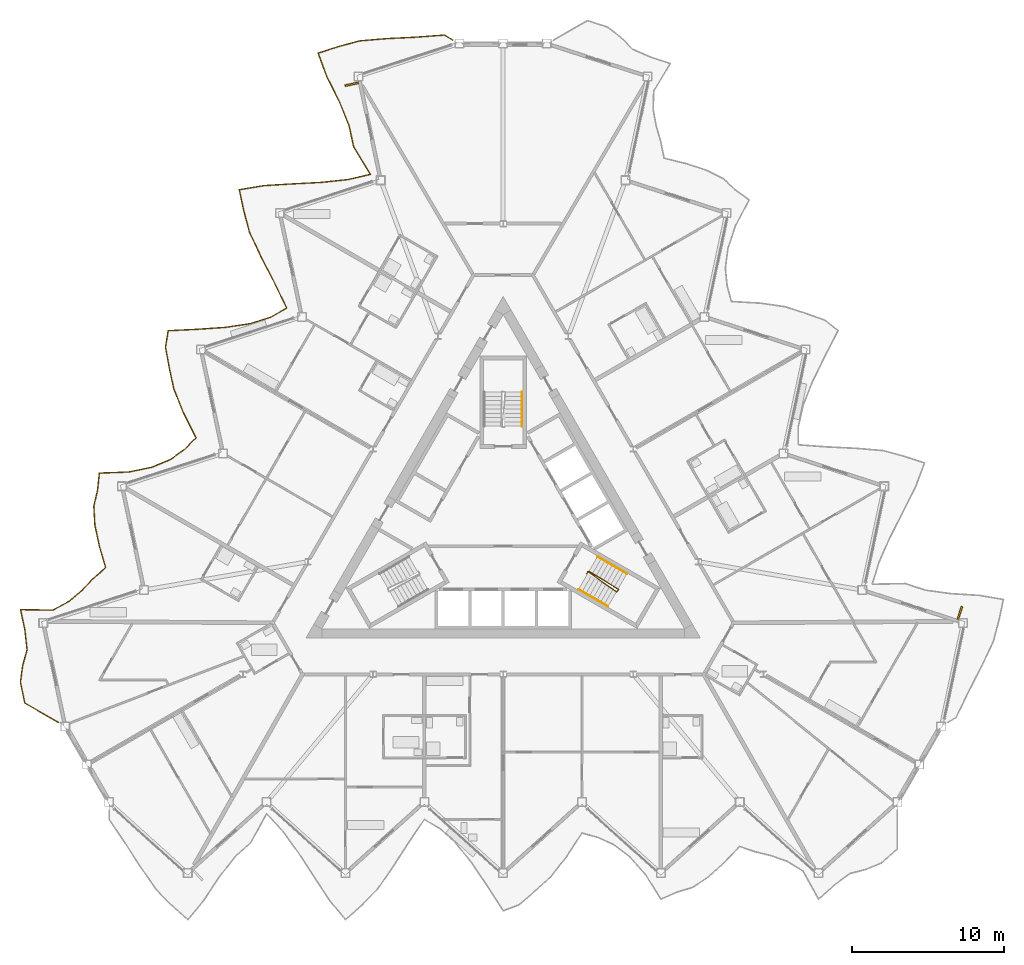
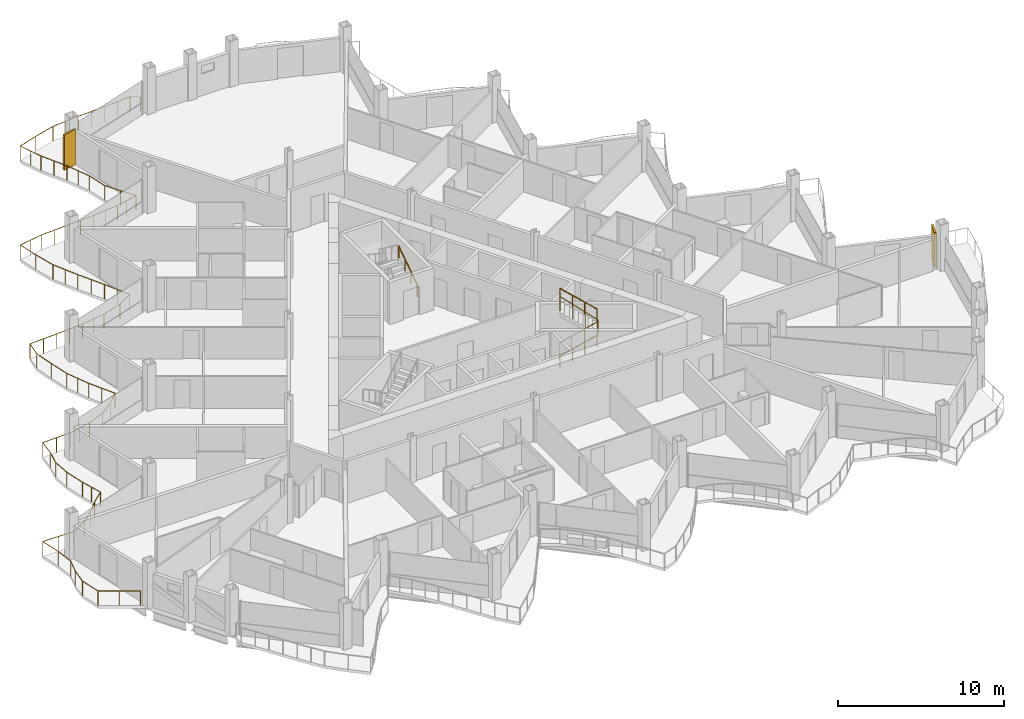
# One storey, part 23 of 26: 5 railings, 2 shading devices.
"""IFC4 building model written with IfcOpenShell, lengths in metres."""

from ifc_helpers import new_model, si_unit, direction, frame, origin, origin_2d, place, context, subcontext, project, spatial, rectangle, circle, extrude, material, layer, layer_set, type_object, element, save


model = new_model("IFC4")

# Units and contexts
model_context = context("Model", 3, precision=1e-05, world=origin(), true_north=direction((0.0, 1.0)))
body_context = subcontext(model_context, "Body", "Model", "MODEL_VIEW")
ifc_project = project(units=[si_unit("LENGTHUNIT", "METRE"), si_unit("AREAUNIT", "SQUARE_METRE"), si_unit("VOLUMEUNIT", "CUBIC_METRE"), si_unit("PLANEANGLEUNIT", "RADIAN"), si_unit("MASSUNIT", "GRAM", prefix="KILO")], contexts=[model_context])

# Site, building, storey
site_placement = place(None, origin())
site = spatial("IfcSite", under=ifc_project, at=site_placement, CompositionType="ELEMENT")
building_placement = place(site_placement, origin())
building = spatial("IfcBuilding", under=site, at=building_placement, Name="Cormorant Prow Tower", CompositionType="ELEMENT")
storey_placement = place(building_placement, frame((0.0, 0.0, 342.60009765625)))
storey = spatial("IfcBuildingStorey", under=building, at=storey_placement, Name="L77", CompositionType="ELEMENT", Elevation=342.60009765625)

# Railings
ifc_material_1 = material(Name="Aluminium 6063-T6", Category="aluminium")
railing_type_1 = type_object("IfcRailingType", Name="Balcony guard 1100", PredefinedType="GUARDRAIL", material=ifc_material_1)
railing_1_placement = place(storey_placement, frame((-3.326904296875, 31.9287109375, 0.0)))
element("IfcRailing", 1, at=railing_1_placement, inside=storey, type_object=railing_type_1, Name="Balcony guard WNW", PredefinedType="GUARDRAIL", context=body_context, shape_type="SweptSolid", body=[
    extrude(circle(Radius=0.02392578125, at=origin_2d()), frame((0.0, 0.0, 1.076171875), z_axis=(-0.865942655036, 0.500143297656, 0.0), x_axis=(-0.500143297656, -0.865942655036, 0.0)), (0.0, 0.0, 1.0), 0.635986328125),
    extrude(circle(Radius=0.02392578125, at=origin_2d()), frame((-0.55078125, 0.318115234375, 1.076171875), z_axis=(-0.997268835853, -0.07385708522, 0.0), x_axis=(0.07385708522, -0.997268835853, 0.0)), (0.0, 0.0, 1.0), 1.847900390625),
    extrude(circle(Radius=0.02392578125, at=origin_2d()), frame((-2.3935546875, 0.181640625, 1.076171875), z_axis=(-0.998812502105, -0.048719458521, 0.0), x_axis=(0.048719458521, -0.998812502105, 0.0)), (0.0, 0.0, 1.0), 1.919189453125),
    extrude(circle(Radius=0.02392578125, at=origin_2d()), frame((-4.310546875, 0.088134765625, 1.076171875), z_axis=(-0.996610037067, -0.082270492993, 0.0), x_axis=(0.082270492993, -0.996610037067, 0.0)), (0.0, 0.0, 1.0), 1.824951171875),
    extrude(circle(Radius=0.02392578125, at=origin_2d()), frame((-6.12939453125, -0.06201171875, 1.076171875), z_axis=(-0.965538644572, -0.260259727653, 0.0), x_axis=(0.260259727653, -0.965538644572, 0.0)), (0.0, 0.0, 1.0), 1.468017578125),
    extrude(circle(Radius=0.02392578125, at=origin_2d()), frame((-7.546875, -0.444091796875, 1.076171875), z_axis=(-0.951081516476, -0.308940041138, 0.0), x_axis=(0.308940041138, -0.951081516476, 0.0)), (0.0, 0.0, 1.0), 1.398681640625),
    extrude(circle(Radius=0.02392578125, at=origin_2d()), frame((-8.877197265625, -0.876220703125, 1.076171875), z_axis=(0.345517305781, -0.938412378119, 0.0), x_axis=(0.938412378119, 0.345517305781, 0.0)), (0.0, 0.0, 1.0), 1.62451171875),
    extrude(circle(Radius=0.02392578125, at=origin_2d()), frame((-8.31591796875, -2.400634765625, 1.076171875), z_axis=(0.44638412653, -0.89484144494, 0.0), x_axis=(0.89484144494, 0.44638412653, 0.0)), (0.0, 0.0, 1.0), 1.88427734375),
    extrude(circle(Radius=0.02392578125, at=origin_2d()), frame((-7.474853515625, -4.086669921875, 1.076171875), z_axis=(0.377196199988, -0.92613337415, 0.0), x_axis=(0.92613337415, 0.377196199988, 0.0)), (0.0, 0.0, 1.0), 1.694580078125),
    extrude(circle(Radius=0.02392578125, at=origin_2d()), frame((-6.835693359375, -5.656005859375, 1.076171875), z_axis=(0.207883806398, -0.978153527335, 0.0), x_axis=(0.978153527335, 0.207883806398, 0.0)), (0.0, 0.0, 1.0), 1.398681640625),
    extrude(circle(Radius=0.02392578125, at=origin_2d()), frame((-6.544921875, -7.024169921875, 1.076171875), z_axis=(0.517077573269, -0.855938539395, 0.0), x_axis=(0.855938539395, 0.517077573269, 0.0)), (0.0, 0.0, 1.0), 2.153564453125),
    extrude(circle(Radius=0.02392578125, at=origin_2d()), frame((-5.431396484375, -8.867431640625, 1.076171875), z_axis=(-0.974579651079, -0.224041299099, 0.0), x_axis=(0.224041299099, -0.974579651079, 0.0)), (0.0, 0.0, 1.0), 1.525634765625),
    extrude(circle(Radius=0.02392578125, at=origin_2d()), frame((-6.918212890625, -9.209228515625, 1.076171875), z_axis=(-0.994541693172, -0.104339927843, 0.0), x_axis=(0.104339927843, -0.994541693172, 0.0)), (0.0, 0.0, 1.0), 1.76904296875),
    extrude(circle(Radius=0.02392578125, at=origin_2d()), frame((-8.677490234375, -9.393798828125, 1.076171875), z_axis=(-0.998623125906, -0.052458101425, 0.0), x_axis=(0.052458101425, -0.998623125906, 0.0)), (0.0, 0.0, 1.0), 1.908203125),
    extrude(circle(Radius=0.02392578125, at=origin_2d()), frame((-10.5830078125, -9.493896484375, 1.076171875), z_axis=(-0.99818669029, -0.060194113732, 0.0), x_axis=(0.060194113732, -0.99818669029, 0.0)), (0.0, 0.0, 1.0), 1.885986328125),
    extrude(circle(Radius=0.02392578125, at=origin_2d()), frame((-12.465576171875, -9.607421875, 1.076171875), z_axis=(-0.9860889791, -0.166218306142, 0.0), x_axis=(0.166218306142, -0.9860889791, 0.0)), (0.0, 0.0, 1.0), 1.6318359375),
    extrude(circle(Radius=0.02392578125, at=origin_2d()), frame((-14.07470703125, -9.878662109375, 1.076171875), z_axis=(0.207883806398, -0.978153527335, 0.0), x_axis=(0.978153527335, 0.207883806398, 0.0)), (0.0, 0.0, 1.0), 1.398681640625),
    extrude(circle(Radius=0.02392578125, at=origin_2d()), frame((-13.783935546875, -11.246826171875, 1.076171875), z_axis=(0.253868850265, -0.967238650419, 0.0), x_axis=(0.967238650419, 0.253868850265, 0.0)), (0.0, 0.0, 1.0), 1.462646484375),
    extrude(circle(Radius=0.02392578125, at=origin_2d()), frame((-13.41259765625, -12.66162109375, 1.076171875), z_axis=(0.426080932678, -0.904685049511, 0.0), x_axis=(0.904685049511, 0.426080932678, 0.0)), (0.0, 0.0, 1.0), 1.822021484375),
    extrude(circle(Radius=0.02392578125, at=origin_2d()), frame((-12.63623046875, -14.31005859375, 1.076171875), z_axis=(0.457109403183, -0.889410475271, 0.0), x_axis=(0.889410475271, 0.457109403183, 0.0)), (0.0, 0.0, 1.0), 1.9189453125),
    extrude(circle(Radius=0.02392578125, at=origin_2d()), frame((-11.759033203125, -16.016845703125, 1.076171875), z_axis=(0.435512648253, -0.900182611036, 0.0), x_axis=(0.900182611036, 0.435512648253, 0.0)), (0.0, 0.0, 1.0), 1.8505859375),
    extrude(circle(Radius=0.02392578125, at=origin_2d()), frame((-10.953125, -17.6826171875, 1.076171875), z_axis=(-0.865676959893, -0.500603037456, 0.0), x_axis=(0.500603037456, -0.865676959893, 0.0)), (0.0, 0.0, 1.0), 1.19970703125),
    extrude(circle(Radius=0.02392578125, at=origin_2d()), frame((-11.99169921875, -18.283203125, 1.076171875), z_axis=(-0.95421811232, -0.299111674998, 0.0), x_axis=(0.299111674998, -0.95421811232, 0.0)), (0.0, 0.0, 1.0), 1.412109375),
    extrude(circle(Radius=0.02392578125, at=origin_2d()), frame((-13.339111328125, -18.70556640625, 1.076171875), z_axis=(-0.988992051677, -0.147968651138, 0.0), x_axis=(0.147968651138, -0.988992051677, 0.0)), (0.0, 0.0, 1.0), 1.669677734375),
    extrude(circle(Radius=0.02392578125, at=origin_2d()), frame((-14.990478515625, -18.95263671875, 1.076171875), z_axis=(-0.997715688101, -0.067552984524, 0.0), x_axis=(0.067552984524, -0.997715688101, 0.0)), (0.0, 0.0, 1.0), 1.86474609375),
    extrude(circle(Radius=0.02392578125, at=origin_2d()), frame((-16.85107421875, -19.07861328125, 1.076171875), z_axis=(-0.998765328526, -0.049677142982, 0.0), x_axis=(0.049677142982, -0.998765328526, 0.0)), (0.0, 0.0, 1.0), 1.916748046875),
    extrude(circle(Radius=0.02392578125, at=origin_2d()), frame((-18.765380859375, -19.173828125, 1.076171875), z_axis=(-0.157032403041, -0.987593450968, 0.0), x_axis=(0.987593450968, -0.157032403041, 0.0)), (0.0, 0.0, 1.0), 1.11328125),
    extrude(circle(Radius=0.02392578125, at=origin_2d()), frame((-18.940185546875, -20.273193359375, 1.076171875), z_axis=(0.182498486945, -0.983206134167, 0.0), x_axis=(0.983206134167, 0.182498486945, 0.0)), (0.0, 0.0, 1.0), 1.3671875),
    extrude(circle(Radius=0.02392578125, at=origin_2d()), frame((-18.690673828125, -21.617431640625, 1.076171875), z_axis=(0.207883806398, -0.978153527335, 0.0), x_axis=(0.978153527335, 0.207883806398, 0.0)), (0.0, 0.0, 1.0), 1.398681640625),
    extrude(circle(Radius=0.02392578125, at=origin_2d()), frame((-18.39990234375, -22.985595703125, 1.076171875), z_axis=(0.370412572747, -0.928867334957, 0.0), x_axis=(0.928867334957, 0.370412572747, 0.0)), (0.0, 0.0, 1.0), 1.6787109375),
    extrude(circle(Radius=0.02392578125, at=origin_2d()), frame((-17.778076171875, -24.544921875, 1.076171875), z_axis=(0.450197830655, -0.892928839983, 0.0), x_axis=(0.892928839983, 0.450197830655, 0.0)), (0.0, 0.0, 1.0), 1.896484375),
    extrude(circle(Radius=0.02392578125, at=origin_2d()), frame((-16.92431640625, -26.23828125, 1.076171875), z_axis=(-0.708579089702, -0.705631400688, 0.0), x_axis=(0.705631400688, -0.708579089702, 0.0)), (0.0, 0.0, 1.0), 1.07666015625),
    extrude(circle(Radius=0.02392578125, at=origin_2d()), frame((-17.687255859375, -26.998046875, 1.076171875), z_axis=(-0.811615569406, -0.584191892702, 0.0), x_axis=(0.584191892702, -0.811615569406, 0.0)), (0.0, 0.0, 1.0), 1.14013671875),
    extrude(circle(Radius=0.02392578125, at=origin_2d()), frame((-18.612548828125, -27.6640625, 1.076171875), z_axis=(-0.922877983616, -0.38509249195, 0.0), x_axis=(0.38509249195, -0.922877983616, 0.0)), (0.0, 0.0, 1.0), 1.307861328125),
    extrude(circle(Radius=0.02392578125, at=origin_2d()), frame((-19.819580078125, -28.167724609375, 1.076171875), z_axis=(-0.978699177219, -0.205299587215, 0.0), x_axis=(0.205299587215, -0.978699177219, 0.0)), (0.0, 0.0, 1.0), 1.557861328125),
    extrude(circle(Radius=0.02392578125, at=origin_2d()), frame((-21.34423828125, -28.487548828125, 1.076171875), z_axis=(-0.999345904658, -0.036163003787, 0.0), x_axis=(0.036163003787, -0.999345904658, 0.0)), (0.0, 0.0, 1.0), 1.957763671875),
    extrude(circle(Radius=0.02392578125, at=origin_2d()), frame((-23.30078125, -28.558349609375, 1.076171875), z_axis=(-0.105600912396, -0.994408591727, 0.0), x_axis=(0.994408591727, -0.105600912396, 0.0)), (0.0, 0.0, 1.0), 1.137451171875),
    extrude(circle(Radius=0.02392578125, at=origin_2d()), frame((-23.4208984375, -29.689453125, 1.076171875), z_axis=(-0.227009348035, -0.973892579243, 0.0), x_axis=(0.973892579243, -0.227009348035, 0.0)), (0.0, 0.0, 1.0), 1.086181640625),
    extrude(circle(Radius=0.02392578125, at=origin_2d()), frame((-23.66748046875, -30.747314453125, 1.076171875), z_axis=(0.056383988236, -0.998409157545, 0.0), x_axis=(0.998409157545, 0.056383988236, 0.0)), (0.0, 0.0, 1.0), 1.24267578125),
    extrude(circle(Radius=0.02392578125, at=origin_2d()), frame((-23.597412109375, -31.988037109375, 1.076171875), z_axis=(0.207883806398, -0.978153527335, 0.0), x_axis=(0.978153527335, 0.207883806398, 0.0)), (0.0, 0.0, 1.0), 1.398681640625),
    extrude(circle(Radius=0.02392578125, at=origin_2d()), frame((-23.306640625, -33.356201171875, 1.076171875), z_axis=(0.27969436855, -0.960089089721, 0.0), x_axis=(0.960089089721, 0.27969436855, 0.0)), (0.0, 0.0, 1.0), 1.503173828125),
    extrude(circle(Radius=0.02392578125, at=origin_2d()), frame((-22.88623046875, -34.79931640625, 1.076171875), z_axis=(-0.750726758639, -0.660612847184, 0.0), x_axis=(0.660612847184, -0.750726758639, 0.0)), (0.0, 0.0, 1.0), 1.09716796875),
    extrude(circle(Radius=0.02392578125, at=origin_2d()), frame((-23.7099609375, -35.524169921875, 1.076171875), z_axis=(-0.693878197943, -0.720092387419, 0.0), x_axis=(0.720092387419, -0.693878197943, 0.0)), (0.0, 0.0, 1.0), 1.071044921875),
    extrude(circle(Radius=0.02392578125, at=origin_2d()), frame((-24.453125, -36.29541015625, 1.076171875), z_axis=(-0.758599182566, -0.651557580118, 0.0), x_axis=(0.651557580118, -0.758599182566, 0.0)), (0.0, 0.0, 1.0), 1.1015625),
    extrude(circle(Radius=0.02392578125, at=origin_2d()), frame((-25.288818359375, -37.01318359375, 1.076171875), z_axis=(-0.879602455008, -0.475709492383, 0.0), x_axis=(0.475709492383, -0.879602455008, 0.0)), (0.0, 0.0, 1.0), 1.220458984375),
    extrude(circle(Radius=0.02392578125, at=origin_2d()), frame((-26.3623046875, -37.59375, 1.076171875), z_axis=(-0.999880973637, 0.015428498279, 0.0), x_axis=(-0.015428498279, -0.999880973637, 0.0)), (0.0, 0.0, 1.0), 2.13623046875),
    extrude(circle(Radius=0.02392578125, at=origin_2d()), frame((-28.498291015625, -37.560791015625, 1.076171875), z_axis=(0.207883806398, -0.978153527335, 0.0), x_axis=(0.978153527335, 0.207883806398, 0.0)), (0.0, 0.0, 1.0), 1.398681640625),
    extrude(circle(Radius=0.02392578125, at=origin_2d()), frame((-28.20751953125, -38.928955078125, 1.076171875), z_axis=(0.108726591286, -0.994071691754, 0.0), x_axis=(0.994071691754, 0.108726591286, 0.0)), (0.0, 0.0, 1.0), 1.288818359375),
    extrude(circle(Radius=0.02392578125, at=origin_2d()), frame((-28.0673828125, -40.210205078125, 1.076171875), z_axis=(-0.267925383794, -0.963439665324, 0.0), x_axis=(0.963439665324, -0.267925383794, 0.0)), (0.0, 0.0, 1.0), 1.073486328125),
    extrude(circle(Radius=0.02392578125, at=origin_2d()), frame((-28.35498046875, -41.244384765625, 1.076171875), z_axis=(-0.132690027156, -0.991157584188, 0.0), x_axis=(0.991157584188, -0.132690027156, 0.0)), (0.0, 0.0, 1.0), 1.124267578125),
    extrude(circle(Radius=0.02392578125, at=origin_2d()), frame((-28.504150390625, -42.358642578125, 1.076171875), z_axis=(0.207883806398, -0.978153527335, 0.0), x_axis=(0.978153527335, 0.207883806398, 0.0)), (0.0, 0.0, 1.0), 1.398681640625),
    extrude(circle(Radius=0.02392578125, at=origin_2d()), frame((-28.21337890625, -43.726806640625, 1.076171875), z_axis=(0.866013163002, -0.500021201058, 0.0), x_axis=(0.500021201058, 0.866013163002, 0.0)), (0.0, 0.0, 1.0), 2.5703125),
    extrude(circle(Radius=0.02099609375, at=origin_2d()), origin(), (0.0, 0.0, 1.0), 1.052001953125),
    extrude(circle(Radius=0.02099609375, at=origin_2d()), frame((-0.55078125, 0.318115234375, 0.0)), (0.0, 0.0, 1.0), 1.052001953125),
    extrude(circle(Radius=0.02099609375, at=origin_2d()), frame((-1.47216796875, 0.25, 0.0)), (0.0, 0.0, 1.0), 1.052001953125),
    extrude(circle(Radius=0.02099609375, at=origin_2d()), frame((-2.3935546875, 0.181640625, 0.0)), (0.0, 0.0, 1.0), 1.052001953125),
    extrude(circle(Radius=0.02099609375, at=origin_2d()), frame((-3.35205078125, 0.134765625, 0.0)), (0.0, 0.0, 1.0), 1.052001953125),
    extrude(circle(Radius=0.02099609375, at=origin_2d()), frame((-4.310546875, 0.088134765625, 0.0)), (0.0, 0.0, 1.0), 1.052001953125),
    extrude(circle(Radius=0.02099609375, at=origin_2d()), frame((-5.219970703125, 0.01318359375, 0.0)), (0.0, 0.0, 1.0), 1.052001953125),
    extrude(circle(Radius=0.02099609375, at=origin_2d()), frame((-6.12939453125, -0.06201171875, 0.0)), (0.0, 0.0, 1.0), 1.052001953125),
    extrude(circle(Radius=0.02099609375, at=origin_2d()), frame((-7.546875, -0.444091796875, 0.0)), (0.0, 0.0, 1.0), 1.052001953125),
    extrude(circle(Radius=0.02099609375, at=origin_2d()), frame((-8.877197265625, -0.876220703125, 0.0)), (0.0, 0.0, 1.0), 1.052001953125),
    extrude(circle(Radius=0.02099609375, at=origin_2d()), frame((-8.5966796875, -1.638427734375, 0.0)), (0.0, 0.0, 1.0), 1.052001953125),
    extrude(circle(Radius=0.02099609375, at=origin_2d()), frame((-8.31591796875, -2.400634765625, 0.0)), (0.0, 0.0, 1.0), 1.052001953125),
    extrude(circle(Radius=0.02099609375, at=origin_2d()), frame((-7.8955078125, -3.24365234375, 0.0)), (0.0, 0.0, 1.0), 1.052001953125),
    extrude(circle(Radius=0.02099609375, at=origin_2d()), frame((-7.474853515625, -4.086669921875, 0.0)), (0.0, 0.0, 1.0), 1.052001953125),
    extrude(circle(Radius=0.02099609375, at=origin_2d()), frame((-7.1552734375, -4.871337890625, 0.0)), (0.0, 0.0, 1.0), 1.052001953125),
    extrude(circle(Radius=0.02099609375, at=origin_2d()), frame((-6.835693359375, -5.656005859375, 0.0)), (0.0, 0.0, 1.0), 1.052001953125),
    extrude(circle(Radius=0.02099609375, at=origin_2d()), frame((-6.544921875, -7.024169921875, 0.0)), (0.0, 0.0, 1.0), 1.052001953125),
    extrude(circle(Radius=0.02099609375, at=origin_2d()), frame((-5.98828125, -7.94580078125, 0.0)), (0.0, 0.0, 1.0), 1.052001953125),
    extrude(circle(Radius=0.02099609375, at=origin_2d()), frame((-5.431396484375, -8.867431640625, 0.0)), (0.0, 0.0, 1.0), 1.052001953125),
    extrude(circle(Radius=0.02099609375, at=origin_2d()), frame((-6.1748046875, -9.038330078125, 0.0)), (0.0, 0.0, 1.0), 1.052001953125),
    extrude(circle(Radius=0.02099609375, at=origin_2d()), frame((-6.918212890625, -9.209228515625, 0.0)), (0.0, 0.0, 1.0), 1.052001953125),
    extrude(circle(Radius=0.02099609375, at=origin_2d()), frame((-7.7978515625, -9.301513671875, 0.0)), (0.0, 0.0, 1.0), 1.052001953125),
    extrude(circle(Radius=0.02099609375, at=origin_2d()), frame((-8.677490234375, -9.393798828125, 0.0)), (0.0, 0.0, 1.0), 1.052001953125),
    extrude(circle(Radius=0.02099609375, at=origin_2d()), frame((-9.63037109375, -9.44384765625, 0.0)), (0.0, 0.0, 1.0), 1.052001953125),
    extrude(circle(Radius=0.02099609375, at=origin_2d()), frame((-10.5830078125, -9.493896484375, 0.0)), (0.0, 0.0, 1.0), 1.052001953125),
    extrude(circle(Radius=0.02099609375, at=origin_2d()), frame((-11.5244140625, -9.55078125, 0.0)), (0.0, 0.0, 1.0), 1.052001953125),
    extrude(circle(Radius=0.02099609375, at=origin_2d()), frame((-12.465576171875, -9.607421875, 0.0)), (0.0, 0.0, 1.0), 1.052001953125),
    extrude(circle(Radius=0.02099609375, at=origin_2d()), frame((-13.27001953125, -9.7431640625, 0.0)), (0.0, 0.0, 1.0), 1.052001953125),
    extrude(circle(Radius=0.02099609375, at=origin_2d()), frame((-14.07470703125, -9.878662109375, 0.0)), (0.0, 0.0, 1.0), 1.052001953125),
    extrude(circle(Radius=0.02099609375, at=origin_2d()), frame((-13.783935546875, -11.246826171875, 0.0)), (0.0, 0.0, 1.0), 1.052001953125),
    extrude(circle(Radius=0.02099609375, at=origin_2d()), frame((-13.41259765625, -12.66162109375, 0.0)), (0.0, 0.0, 1.0), 1.052001953125),
    extrude(circle(Radius=0.02099609375, at=origin_2d()), frame((-13.0244140625, -13.48583984375, 0.0)), (0.0, 0.0, 1.0), 1.052001953125),
    extrude(circle(Radius=0.02099609375, at=origin_2d()), frame((-12.63623046875, -14.31005859375, 0.0)), (0.0, 0.0, 1.0), 1.052001953125),
    extrude(circle(Radius=0.02099609375, at=origin_2d()), frame((-12.19775390625, -15.16357421875, 0.0)), (0.0, 0.0, 1.0), 1.052001953125),
    extrude(circle(Radius=0.02099609375, at=origin_2d()), frame((-11.759033203125, -16.016845703125, 0.0)), (0.0, 0.0, 1.0), 1.052001953125),
    extrude(circle(Radius=0.02099609375, at=origin_2d()), frame((-11.35595703125, -16.849609375, 0.0)), (0.0, 0.0, 1.0), 1.052001953125),
    extrude(circle(Radius=0.02099609375, at=origin_2d()), frame((-10.953125, -17.6826171875, 0.0)), (0.0, 0.0, 1.0), 1.052001953125),
    extrude(circle(Radius=0.02099609375, at=origin_2d()), frame((-11.99169921875, -18.283203125, 0.0)), (0.0, 0.0, 1.0), 1.052001953125),
    extrude(circle(Radius=0.02099609375, at=origin_2d()), frame((-13.339111328125, -18.70556640625, 0.0)), (0.0, 0.0, 1.0), 1.052001953125),
    extrude(circle(Radius=0.02099609375, at=origin_2d()), frame((-14.164794921875, -18.8291015625, 0.0)), (0.0, 0.0, 1.0), 1.052001953125),
    extrude(circle(Radius=0.02099609375, at=origin_2d()), frame((-14.990478515625, -18.95263671875, 0.0)), (0.0, 0.0, 1.0), 1.052001953125),
    extrude(circle(Radius=0.02099609375, at=origin_2d()), frame((-15.9208984375, -19.015625, 0.0)), (0.0, 0.0, 1.0), 1.052001953125),
    extrude(circle(Radius=0.02099609375, at=origin_2d()), frame((-16.85107421875, -19.07861328125, 0.0)), (0.0, 0.0, 1.0), 1.052001953125),
    extrude(circle(Radius=0.02099609375, at=origin_2d()), frame((-17.80810546875, -19.126220703125, 0.0)), (0.0, 0.0, 1.0), 1.052001953125),
    extrude(circle(Radius=0.02099609375, at=origin_2d()), frame((-18.765380859375, -19.173828125, 0.0)), (0.0, 0.0, 1.0), 1.052001953125),
    extrude(circle(Radius=0.02099609375, at=origin_2d()), frame((-18.940185546875, -20.273193359375, 0.0)), (0.0, 0.0, 1.0), 1.052001953125),
    extrude(circle(Radius=0.02099609375, at=origin_2d()), frame((-18.690673828125, -21.617431640625, 0.0)), (0.0, 0.0, 1.0), 1.052001953125),
    extrude(circle(Radius=0.02099609375, at=origin_2d()), frame((-18.39990234375, -22.985595703125, 0.0)), (0.0, 0.0, 1.0), 1.052001953125),
    extrude(circle(Radius=0.02099609375, at=origin_2d()), frame((-18.0888671875, -23.76513671875, 0.0)), (0.0, 0.0, 1.0), 1.052001953125),
    extrude(circle(Radius=0.02099609375, at=origin_2d()), frame((-17.778076171875, -24.544921875, 0.0)), (0.0, 0.0, 1.0), 1.052001953125),
    extrude(circle(Radius=0.02099609375, at=origin_2d()), frame((-17.35107421875, -25.3916015625, 0.0)), (0.0, 0.0, 1.0), 1.052001953125),
    extrude(circle(Radius=0.02099609375, at=origin_2d()), frame((-16.92431640625, -26.23828125, 0.0)), (0.0, 0.0, 1.0), 1.052001953125),
    extrude(circle(Radius=0.02099609375, at=origin_2d()), frame((-17.687255859375, -26.998046875, 0.0)), (0.0, 0.0, 1.0), 1.052001953125),
    extrude(circle(Radius=0.02099609375, at=origin_2d()), frame((-18.612548828125, -27.6640625, 0.0)), (0.0, 0.0, 1.0), 1.052001953125),
    extrude(circle(Radius=0.02099609375, at=origin_2d()), frame((-19.819580078125, -28.167724609375, 0.0)), (0.0, 0.0, 1.0), 1.052001953125),
    extrude(circle(Radius=0.02099609375, at=origin_2d()), frame((-20.58203125, -28.32763671875, 0.0)), (0.0, 0.0, 1.0), 1.052001953125),
    extrude(circle(Radius=0.02099609375, at=origin_2d()), frame((-21.34423828125, -28.487548828125, 0.0)), (0.0, 0.0, 1.0), 1.052001953125),
    extrude(circle(Radius=0.02099609375, at=origin_2d()), frame((-22.322509765625, -28.52294921875, 0.0)), (0.0, 0.0, 1.0), 1.052001953125),
    extrude(circle(Radius=0.02099609375, at=origin_2d()), frame((-23.30078125, -28.558349609375, 0.0)), (0.0, 0.0, 1.0), 1.052001953125),
    extrude(circle(Radius=0.02099609375, at=origin_2d()), frame((-23.4208984375, -29.689453125, 0.0)), (0.0, 0.0, 1.0), 1.052001953125),
    extrude(circle(Radius=0.02099609375, at=origin_2d()), frame((-23.66748046875, -30.747314453125, 0.0)), (0.0, 0.0, 1.0), 1.052001953125),
    extrude(circle(Radius=0.02099609375, at=origin_2d()), frame((-23.597412109375, -31.988037109375, 0.0)), (0.0, 0.0, 1.0), 1.052001953125),
    extrude(circle(Radius=0.02099609375, at=origin_2d()), frame((-23.306640625, -33.356201171875, 0.0)), (0.0, 0.0, 1.0), 1.052001953125),
    extrude(circle(Radius=0.02099609375, at=origin_2d()), frame((-23.096435546875, -34.07763671875, 0.0)), (0.0, 0.0, 1.0), 1.052001953125),
    extrude(circle(Radius=0.02099609375, at=origin_2d()), frame((-22.88623046875, -34.79931640625, 0.0)), (0.0, 0.0, 1.0), 1.052001953125),
    extrude(circle(Radius=0.02099609375, at=origin_2d()), frame((-23.7099609375, -35.524169921875, 0.0)), (0.0, 0.0, 1.0), 1.052001953125),
    extrude(circle(Radius=0.02099609375, at=origin_2d()), frame((-24.453125, -36.29541015625, 0.0)), (0.0, 0.0, 1.0), 1.052001953125),
    extrude(circle(Radius=0.02099609375, at=origin_2d()), frame((-25.288818359375, -37.01318359375, 0.0)), (0.0, 0.0, 1.0), 1.052001953125),
    extrude(circle(Radius=0.02099609375, at=origin_2d()), frame((-26.3623046875, -37.59375, 0.0)), (0.0, 0.0, 1.0), 1.052001953125),
    extrude(circle(Radius=0.02099609375, at=origin_2d()), frame((-27.43017578125, -37.5771484375, 0.0)), (0.0, 0.0, 1.0), 1.052001953125),
    extrude(circle(Radius=0.02099609375, at=origin_2d()), frame((-28.498291015625, -37.560791015625, 0.0)), (0.0, 0.0, 1.0), 1.052001953125),
    extrude(circle(Radius=0.02099609375, at=origin_2d()), frame((-28.20751953125, -38.928955078125, 0.0)), (0.0, 0.0, 1.0), 1.052001953125),
    extrude(circle(Radius=0.02099609375, at=origin_2d()), frame((-28.0673828125, -40.210205078125, 0.0)), (0.0, 0.0, 1.0), 1.052001953125),
    extrude(circle(Radius=0.02099609375, at=origin_2d()), frame((-28.35498046875, -41.244384765625, 0.0)), (0.0, 0.0, 1.0), 1.052001953125),
    extrude(circle(Radius=0.02099609375, at=origin_2d()), frame((-28.504150390625, -42.358642578125, 0.0)), (0.0, 0.0, 1.0), 1.052001953125),
    extrude(circle(Radius=0.02099609375, at=origin_2d()), frame((-28.21337890625, -43.726806640625, 0.0)), (0.0, 0.0, 1.0), 1.052001953125),
    extrude(circle(Radius=0.02099609375, at=origin_2d()), frame((-27.1005859375, -44.369384765625, 0.0)), (0.0, 0.0, 1.0), 1.052001953125),
    extrude(circle(Radius=0.02099609375, at=origin_2d()), frame((-25.987548828125, -45.011962890625, 0.0)), (0.0, 0.0, 1.0), 1.052001953125),
])
ifc_material_2 = material(Name="Stainless steel", Category="steel")
railing_type_2 = type_object("IfcRailingType", Name="Stair guard 1100", PredefinedType="GUARDRAIL", material=ifc_material_2)
railing_2_placement = place(storey_placement, frame((5.510009765625, -3.267822265625, 0.0)))
element("IfcRailing", 2, at=railing_2_placement, inside=storey, type_object=railing_type_2, Name="L77 ST2 stair guard 1", PredefinedType="GUARDRAIL", context=body_context, shape_type="SweptSolid", body=[
    extrude(circle(Radius=0.02392578125, at=origin_2d()), frame((0.0, 0.0, 1.076171875), z_axis=(0.501036270542, 0.865426285481, 0.0), x_axis=(-0.865426285481, 0.501036270542, 0.0)), (0.0, 0.0, 1.0), 0.150146484375),
    extrude(circle(Radius=0.02392578125, at=origin_2d()), frame((0.0751953125, 0.1298828125, 1.076171875), z_axis=(0.658670593711, -0.461060875852, 0.594622500196), x_axis=(0.573455215813, 0.819236910458, 0.0)), (0.0, 0.0, 1.0), 2.85888671875),
    extrude(circle(Radius=0.02392578125, at=origin_2d()), frame((1.958251953125, -1.188232421875, 2.77587890625), z_axis=(0.695164929852, 0.718850276695, 0.0), x_axis=(-0.718850276695, 0.695164929852, 0.0)), (0.0, 0.0, 1.0), 0.2060546875),
    extrude(circle(Radius=0.02392578125, at=origin_2d()), frame((2.1015625, -1.0400390625, 2.77587890625), z_axis=(-0.686515364547, 0.416565300991, 0.595961411712), x_axis=(-0.518752825935, -0.854924268918, 0.0)), (0.0, 0.0, 1.0), 2.8525390625),
    extrude(circle(Radius=0.02099609375, at=origin_2d()), origin(), (0.0, 0.0, 1.0), 1.052001953125),
    extrude(circle(Radius=0.02099609375, at=origin_2d()), frame((0.0751953125, 0.1298828125, 0.0)), (0.0, 0.0, 1.0), 1.052001953125),
    extrude(circle(Radius=0.02099609375, at=origin_2d()), frame((0.702880859375, -0.3095703125, 0.566650390625)), (0.0, 0.0, 1.0), 1.052001953125),
    extrude(circle(Radius=0.02099609375, at=origin_2d()), frame((1.33056640625, -0.748779296875, 1.13330078125)), (0.0, 0.0, 1.0), 1.052001953125),
    extrude(circle(Radius=0.02099609375, at=origin_2d()), frame((1.958251953125, -1.188232421875, 1.699951171875)), (0.0, 0.0, 1.0), 1.052001953125),
    extrude(circle(Radius=0.02099609375, at=origin_2d()), frame((2.1015625, -1.0400390625, 1.699951171875)), (0.0, 0.0, 1.0), 1.052001953125),
    extrude(circle(Radius=0.02099609375, at=origin_2d()), frame((1.44873046875, -0.64404296875, 2.2666015625)), (0.0, 0.0, 1.0), 1.052001953125),
    extrude(circle(Radius=0.02099609375, at=origin_2d()), frame((0.796142578125, -0.247802734375, 2.833251953125)), (0.0, 0.0, 1.0), 1.052001953125),
    extrude(circle(Radius=0.02099609375, at=origin_2d()), frame((0.143310546875, 0.148193359375, 3.39990234375)), (0.0, 0.0, 1.0), 1.052001953125),
])
ifc_material_3 = material(Name="Stainless steel", Category="steel")
railing_type_3 = type_object("IfcRailingType", Name="Stair handrail 900", PredefinedType="HANDRAIL", material=ifc_material_3)
railing_3_placement = place(storey_placement, frame((4.968994140625, -4.30517578125, 0.188720703125)))
element("IfcRailing", 3, at=railing_3_placement, inside=storey, type_object=railing_type_3, Name="L77 ST2 stair handrail 1", PredefinedType="HANDRAIL", context=body_context, shape_type="SweptSolid", body=[
    extrude(circle(Radius=0.02392578125, at=origin_2d()), frame((0.0, 0.0, 0.8759765625), z_axis=(0.717869644322, -0.414548260308, 0.559296802813), x_axis=(0.500077830873, 0.865980463445, 0.0)), (0.0, 0.0, 1.0), 2.701904296875),
    extrude(circle(Radius=0.02099609375, at=origin_2d()), origin(), (0.0, 0.0, 1.0), 0.851806640625),
    extrude(circle(Radius=0.02099609375, at=origin_2d()), frame((0.646484375, -0.373291015625, 0.503662109375)), (0.0, 0.0, 1.0), 0.851806640625),
    extrude(circle(Radius=0.02099609375, at=origin_2d()), frame((1.293212890625, -0.746826171875, 1.007568359375)), (0.0, 0.0, 1.0), 0.851806640625),
    extrude(circle(Radius=0.02099609375, at=origin_2d()), frame((1.939697265625, -1.1201171875, 1.51123046875)), (0.0, 0.0, 1.0), 0.851806640625),
])
railing_4_placement = place(storey_placement, frame((8.15283203125, -3.2705078125, 1.888671875)))
element("IfcRailing", 4, at=railing_4_placement, inside=storey, type_object=railing_type_3, Name="L77 ST2 stair handrail 2", PredefinedType="HANDRAIL", context=body_context, shape_type="SweptSolid", body=[
    extrude(circle(Radius=0.02392578125, at=origin_2d()), frame((0.0, 0.0, 0.8759765625), z_axis=(-0.717940317343, 0.414446543626, 0.55928147047), x_axis=(-0.49994888933, -0.866054910533, 0.0)), (0.0, 0.0, 1.0), 2.7021484375),
    extrude(circle(Radius=0.02099609375, at=origin_2d()), origin(), (0.0, 0.0, 1.0), 0.851806640625),
    extrude(circle(Radius=0.02099609375, at=origin_2d()), frame((-0.646728515625, 0.373291015625, 0.503662109375)), (0.0, 0.0, 1.0), 0.851806640625),
    extrude(circle(Radius=0.02099609375, at=origin_2d()), frame((-1.293212890625, 0.74658203125, 1.007568359375)), (0.0, 0.0, 1.0), 0.851806640625),
    extrude(circle(Radius=0.02099609375, at=origin_2d()), frame((-1.93994140625, 1.119873046875, 1.51123046875)), (0.0, 0.0, 1.0), 0.851806640625),
])
railing_5_placement = place(storey_placement, frame((1.243896484375, 6.455810546875, 0.188720703125)))
element("IfcRailing", 5, at=railing_5_placement, inside=storey, type_object=railing_type_3, Name="L77 ST3 stair handrail 1", PredefinedType="HANDRAIL", context=body_context, shape_type="SweptSolid", body=[
    extrude(circle(Radius=0.02392578125, at=origin_2d()), frame((0.0, 0.0, 0.8759765625), z_axis=(0.0, 0.828979582247, 0.559278868023), x_axis=(-1.0, 0.0, 0.0)), (0.0, 0.0, 1.0), 2.7021484375),
    extrude(circle(Radius=0.02099609375, at=origin_2d()), origin(), (0.0, 0.0, 1.0), 0.851806640625),
    extrude(circle(Radius=0.02099609375, at=origin_2d()), frame((0.0, 0.74658203125, 0.503662109375)), (0.0, 0.0, 1.0), 0.851806640625),
    extrude(circle(Radius=0.02099609375, at=origin_2d()), frame((0.0, 1.493408203125, 1.007568359375)), (0.0, 0.0, 1.0), 0.851806640625),
    extrude(circle(Radius=0.02099609375, at=origin_2d()), frame((0.0, 2.239990234375, 1.51123046875)), (0.0, 0.0, 1.0), 0.851806640625),
])

# Shading devices
ifc_material_4 = material(Name="Terracotta", Category="masonry")
ifc_layer = layer(ifc_material_4, 0.1201171875)
ifc_layer_set = layer_set([ifc_layer], Name="Terracotta")
shading_device_type = type_object("IfcShadingDeviceType", Name="Terracotta baguette fin 120x900x2600", PredefinedType="USERDEFINED", material=ifc_layer_set)
for number, where, z_axis, x_axis, name in (
    (6, (30.10888671875, -5.851318359375, -0.000244140625), (0.0, 0.0, 1.0), (-0.951056490963, 0.309017072341, 0.0), "Baguette fin ENE01"),
    (7, (-9.98681640625, 29.000732421875, -0.000244140625), (0.0, 0.0, 1.0), (0.207911602505, -0.978147619505, 0.0), "Baguette fin WNW01"),
):
    element("IfcShadingDevice", number, at=place(storey_placement, frame(where, z_axis=z_axis, x_axis=x_axis)), inside=storey, type_object=shading_device_type, Name=name, ObjectType="BAGUETTE", PredefinedType="USERDEFINED", context=body_context, shape_type="SweptSolid", body=[
        extrude(rectangle(XDim=0.1201171875, YDim=0.89990234375, at=origin_2d()), origin(), (0.0, 0.0, 1.0), 2.60009765625),
    ])

save(model, "model.ifc")
